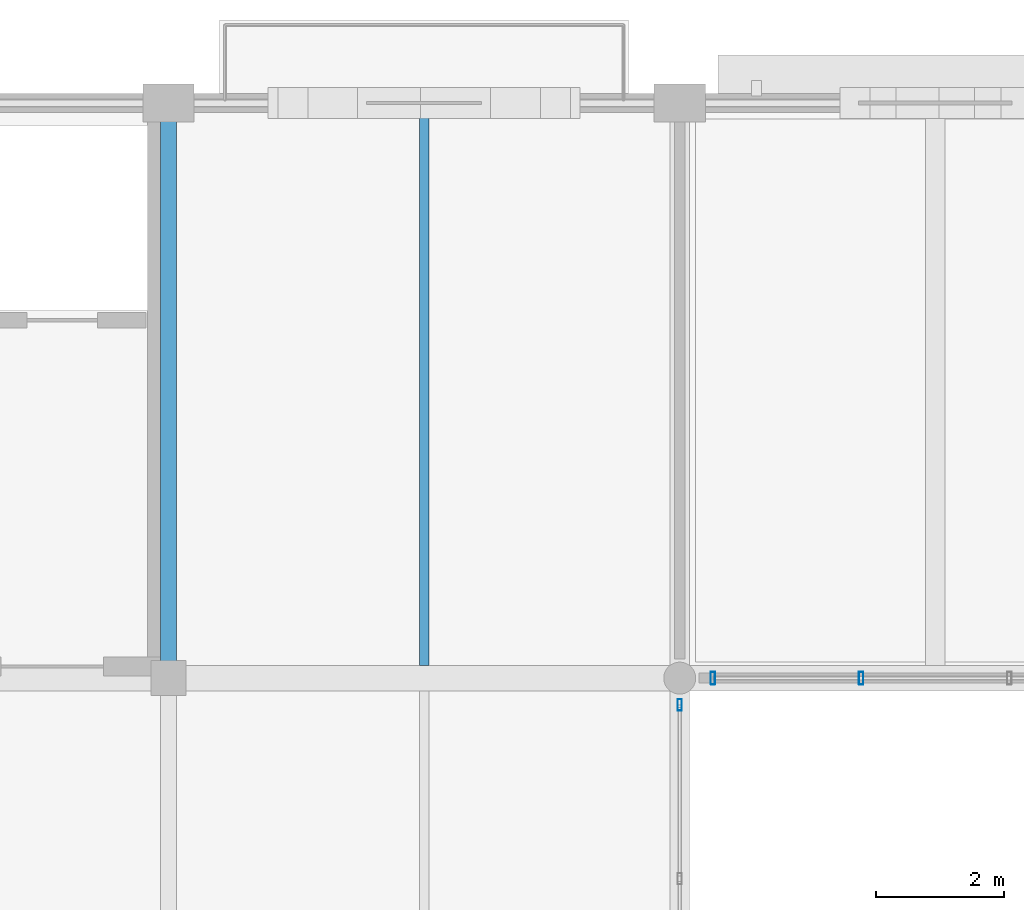
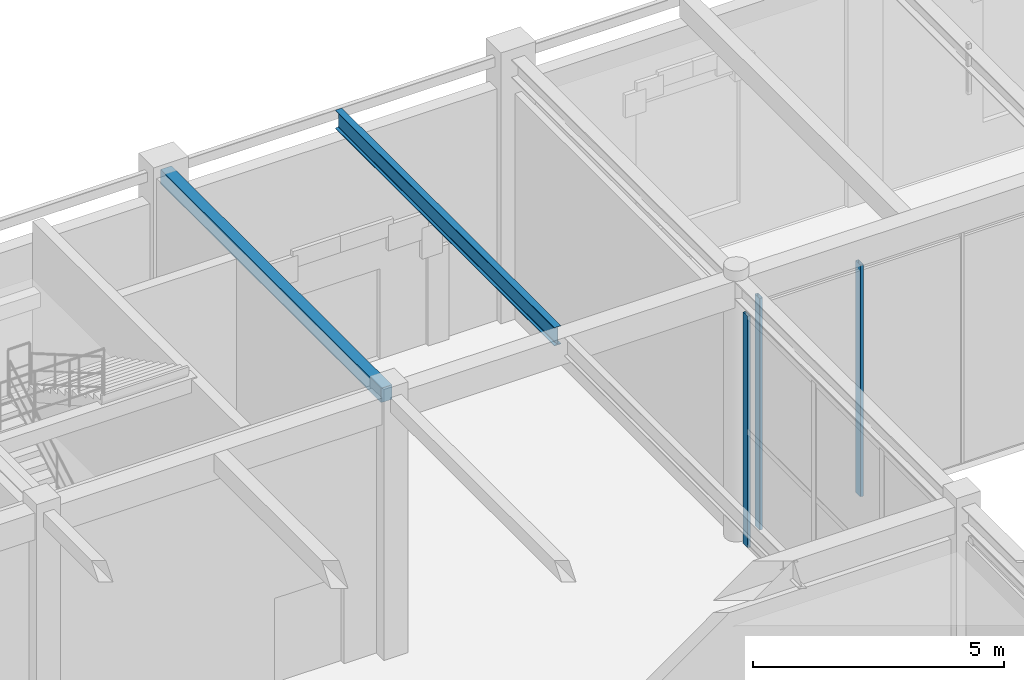
# One storey, part 72 of 163: 3 members, 2 beams, 2 elements without a shape of their own.
"""IFC4 building model written with IfcOpenShell, lengths in metres."""

from ifc_helpers import new_model, si_unit, direction, frame, origin, origin_2d, place, context, subcontext, project, spatial, rectangle, hollow_rectangle, i_section, extrude, material, material_profile, profile_set, type_object, element, aggregate, save


model = new_model("IFC4")

# Units and contexts
model_context = context("Model", 3, precision=1e-05, world=origin(), true_north=direction((0.0, 1.0)))
body_context = subcontext(model_context, "Body", "Model", "MODEL_VIEW")
ifc_project = project(units=[si_unit("LENGTHUNIT", "METRE"), si_unit("AREAUNIT", "SQUARE_METRE"), si_unit("VOLUMEUNIT", "CUBIC_METRE"), si_unit("PLANEANGLEUNIT", "RADIAN"), si_unit("MASSUNIT", "GRAM", prefix="KILO")], contexts=[model_context])

# Site, building, storey
site_placement = place(None, origin())
site = spatial("IfcSite", under=ifc_project, at=site_placement, CompositionType="ELEMENT")
building_placement = place(site_placement, origin())
building = spatial("IfcBuilding", under=site, at=building_placement, Name="Varnabhumi Central Station", CompositionType="ELEMENT")
storey_placement = place(building_placement, frame((0.0, 0.0, 9.60009765625)))
storey = spatial("IfcBuildingStorey", under=building, at=storey_placement, Name="L02", CompositionType="ELEMENT", Elevation=9.60009765625)

# Beams
ifc_material_1 = material(Name="Structural steel E350", Category="steel")
ifc_material_profile_1 = material_profile(ifc_material_1, i_section(OverallWidth=0.14990234375, OverallDepth=0.449951171875, WebThickness=0.009521484375, FlangeThickness=0.017333984375, FilletRadius=0.014892578125, at=origin_2d()), Name="Structural steel E350", Category="steel")
ifc_profile_set_1 = profile_set([ifc_material_profile_1], Name="Structural steel E350")
beam_type_1 = type_object("IfcBeamType", Name="BM-JST-ISMB450", PredefinedType="JOIST", material=ifc_profile_set_1)
beam_1_placement = place(storey_placement, frame((44.0, 107.199951171875, 6.125), z_axis=(0.0, 1.0, 0.0), x_axis=(-1.0, 0.0, 0.0)))
element("IfcBeam", 1, at=beam_1_placement, inside=storey, type_object=beam_type_1, Name="Secondary Joist L02-6/7:N-P", PredefinedType="JOIST", context=body_context, shape_type="SweptSolid", body=[
    extrude(i_section(OverallWidth=0.14990234375, OverallDepth=0.449951171875, WebThickness=0.009521484375, FlangeThickness=0.017333984375, FilletRadius=0.014892578125, at=origin_2d()), origin(), (0.0, 0.0, 1.0), 8.739990234375),
])
ifc_material_2 = material(Name="Concrete M35", Category="concrete")
ifc_material_profile_2 = material_profile(ifc_material_2, rectangle(XDim=0.25, YDim=0.35009765625, at=origin_2d()), Name="Concrete M35", Category="concrete")
ifc_profile_set_2 = profile_set([ifc_material_profile_2], Name="Concrete M35")
beam_type_2 = type_object("IfcBeamType", Name="BM-RC-250x350", PredefinedType="LINTEL", material=ifc_profile_set_2)
beam_2_placement = place(storey_placement, frame((40.0, 107.10009765625, 6.1748046875), z_axis=(0.0, 1.0, 0.0), x_axis=(-1.0, 0.0, 0.0)))
element("IfcBeam", 2, at=beam_2_placement, inside=storey, type_object=beam_type_2, Name="Beam L02-6:N-P", PredefinedType="LINTEL", context=body_context, shape_type="SweptSolid", body=[
    extrude(rectangle(XDim=0.25, YDim=0.35009765625, at=origin_2d()), origin(), (0.0, 0.0, 1.0), 8.7998046875),
])

# Curtain wall, member
ifc_material_3 = material(Name="Anodised aluminium 6063-T6", Category="aluminium")
curtain_wall_type = type_object("IfcCurtainWallType", Name="CW-PATIO-LOGGIA-L2", PredefinedType="NOTDEFINED", material=ifc_material_3)
curtain_wall_1_placement = place(storey_placement, origin())
curtain_wall_1 = element("IfcCurtainWall", 3, at=curtain_wall_1_placement, inside=storey, type_object=curtain_wall_type, Name="Curtain Wall CW-NP2E2", PredefinedType="NOTDEFINED")
ifc_material_profile_3 = material_profile(ifc_material_3, hollow_rectangle(XDim=0.06494140625, YDim=0.179931640625, WallThickness=0.00390625, InnerFilletRadius=0.001953125, OuterFilletRadius=0.006103515625, at=origin_2d()), Name="Anodised aluminium 6063-T6", Category="aluminium")
ifc_profile_set_3 = profile_set([ifc_material_profile_3], Name="Anodised aluminium 6063-T6")
member_type_1 = type_object("IfcMemberType", Name="CW-MUL-180", PredefinedType="MULLION", material=ifc_profile_set_3)
member_1_placement = place(storey_placement, frame((48.0, 106.580078125, 0.0), z_axis=(0.0, 0.0, 1.0), x_axis=(1.0, 0.0, 0.0)))
member_1 = element("IfcMember", 4, at=member_1_placement, type_object=member_type_1, Name="Curtain Wall Mullion CW-NP2E2-M4", PredefinedType="MULLION", context=body_context, shape_type="SweptSolid", body=[
    extrude(hollow_rectangle(XDim=0.06494140625, YDim=0.179931640625, WallThickness=0.00390625, InnerFilletRadius=0.001953125, OuterFilletRadius=0.006103515625, at=origin_2d()), origin(), (0.0, 0.0, 1.0), 5.639892578125),
])
aggregate(curtain_wall_1, [member_1])

# Curtain wall, members
curtain_wall_2_placement = place(storey_placement, origin())
curtain_wall_2 = element("IfcCurtainWall", 5, at=curtain_wall_2_placement, inside=storey, type_object=curtain_wall_type, Name="Curtain Wall CW-NP2N1", PredefinedType="NOTDEFINED")
ifc_material_profile_4 = material_profile(ifc_material_3, hollow_rectangle(XDim=0.070068359375, YDim=0.199951171875, WallThickness=0.00439453125, InnerFilletRadius=0.00146484375, OuterFilletRadius=0.006103515625, at=origin_2d()), Name="Anodised aluminium 6063-T6", Category="aluminium")
ifc_profile_set_4 = profile_set([ifc_material_profile_4], Name="Anodised aluminium 6063-T6")
member_type_2 = type_object("IfcMemberType", Name="CW-MUL-200", PredefinedType="MULLION", material=ifc_profile_set_4)
member_2_placement = place(storey_placement, frame((48.52001953125, 107.0, 0.0), z_axis=(0.0, 0.0, 1.0), x_axis=(1.0, 0.0, 0.0)))
member_2 = element("IfcMember", 6, at=member_2_placement, type_object=member_type_2, Name="Curtain Wall Mullion CW-NP2N1-M1", PredefinedType="MULLION", context=body_context, shape_type="SweptSolid", body=[
    extrude(hollow_rectangle(XDim=0.070068359375, YDim=0.199951171875, WallThickness=0.00439453125, InnerFilletRadius=0.00146484375, OuterFilletRadius=0.006103515625, at=origin_2d()), origin(), (0.0, 0.0, 1.0), 5.639892578125),
])
member_3_placement = place(storey_placement, frame((50.840087890625, 107.0, 0.0), z_axis=(0.0, 0.0, 1.0), x_axis=(1.0, 0.0, 0.0)))
member_3 = element("IfcMember", 7, at=member_3_placement, type_object=member_type_2, Name="Curtain Wall Mullion CW-NP2N1-M2", PredefinedType="MULLION", context=body_context, shape_type="SweptSolid", body=[
    extrude(hollow_rectangle(XDim=0.070068359375, YDim=0.199951171875, WallThickness=0.00439453125, InnerFilletRadius=0.00146484375, OuterFilletRadius=0.006103515625, at=origin_2d()), origin(), (0.0, 0.0, 1.0), 5.639892578125),
])
aggregate(curtain_wall_2, [member_2, member_3])

save(model, "model.ifc")
